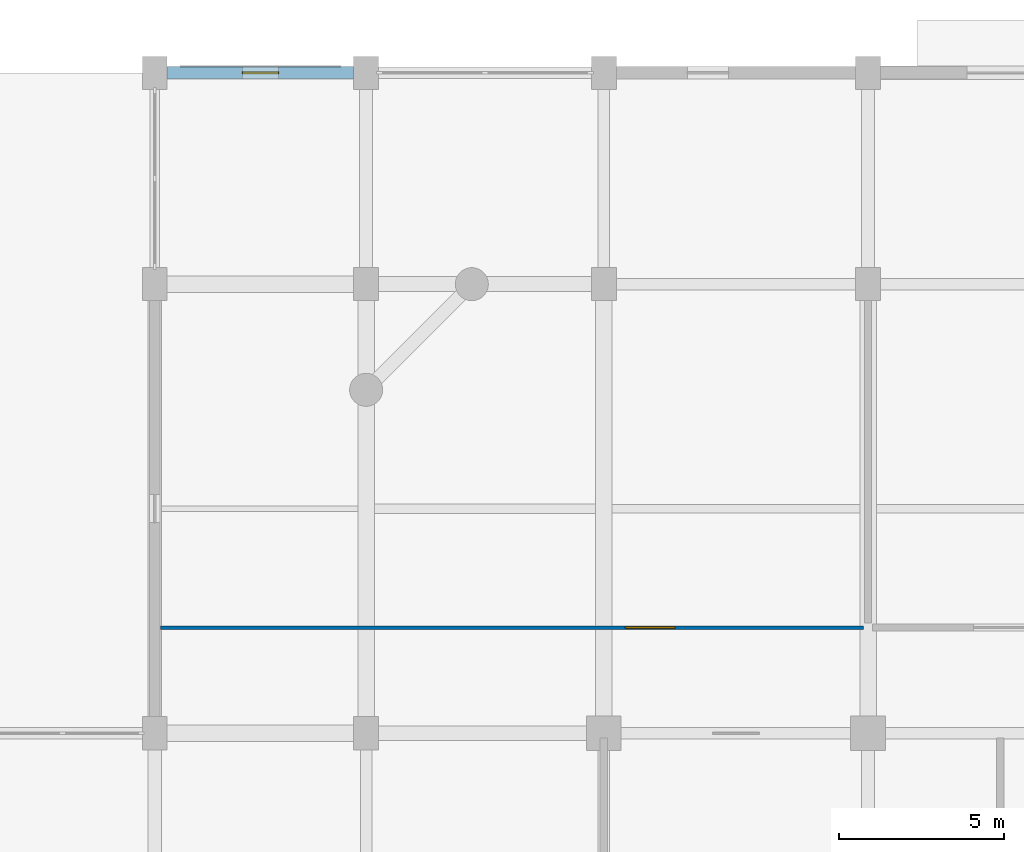
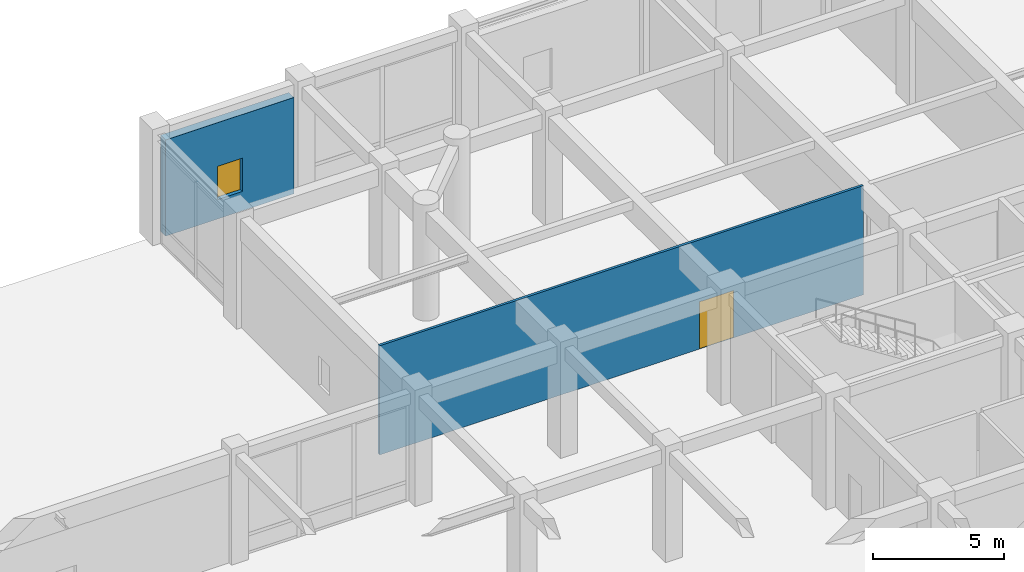
# One storey, part 31 of 40: 2 walls, 1 door, 1 window, 2 openings.
"""IFC4 building model written with IfcOpenShell, lengths in metres."""

from ifc_helpers import new_model, si_unit, direction, frame, frame_2d, origin, place, context, subcontext, project, spatial, rectangle, extrude, material, layer, layer_set, type_object, element, fill, save


model = new_model("IFC4")

# Units and contexts
model_context = context("Model", 3, precision=1e-05, world=origin(), true_north=direction((0.0, 1.0)))
body_context = subcontext(model_context, "Body", "Model", "MODEL_VIEW")
ifc_project = project(units=[si_unit("LENGTHUNIT", "METRE"), si_unit("AREAUNIT", "SQUARE_METRE"), si_unit("VOLUMEUNIT", "CUBIC_METRE"), si_unit("PLANEANGLEUNIT", "RADIAN"), si_unit("MASSUNIT", "GRAM", prefix="KILO")], contexts=[model_context])

# Site, building, storey
site_placement = place(None, origin())
site = spatial("IfcSite", under=ifc_project, at=site_placement, CompositionType="ELEMENT")
building_placement = place(site_placement, origin())
building = spatial("IfcBuilding", under=site, at=building_placement, Name="Vellmiral Cinema and Media Centre", CompositionType="ELEMENT")
storey_placement = place(building_placement, origin())
storey = spatial("IfcBuildingStorey", under=building, at=storey_placement, Name="L00", CompositionType="ELEMENT", Elevation=0.0)

# Wall, opening, window
ifc_material_1 = material(Name="Vosges Red Sandstone Masonry", Category="masonry")
ifc_layer_1 = layer(ifc_material_1, 0.3798828125, Name="Vosges Red Sandstone Masonry")
ifc_layer_set_1 = layer_set([ifc_layer_1], Name="Vosges Red Sandstone Masonry")
wall_type_1 = type_object("IfcWallType", Name="WL-EXT-SAND-380", PredefinedType="SOLIDWALL", material=ifc_layer_set_1)
wall_1_placement = place(storey_placement, frame((116.425048828125, 115.199951171875, 0.0), z_axis=(0.0, 0.0, 1.0), x_axis=(-1.0, 0.0, 0.0)))
wall_1 = element("IfcWall", 1, at=wall_1_placement, inside=storey, type_object=wall_type_1, Name="Exterior Facade Wall L00-052", PredefinedType="SOLIDWALL", context=body_context, shape_type="SweptSolid", body=[
    extrude(rectangle(XDim=5.650146484375, YDim=0.3798828125, at=frame_2d((2.8251953125, 0.0))), origin(), (0.0, 0.0, 1.0), 4.47998046875),
])
opening_1_placement = place(wall_1_placement, frame((2.27490234375, 0.0, 0.89990234375)))
opening_1 = element("IfcOpeningElement", 2, at=opening_1_placement, cuts=wall_1, Name="Opening WN-11", PredefinedType="OPENING", context=body_context, shape_type="SweptSolid", body=[
    extrude(rectangle(XDim=1.10009765625, YDim=1.550048828125, at=frame_2d((0.550048828125, 0.77490234375))), frame((0.0, 0.201904296875, 0.0), z_axis=(0.0, -1.0, 0.0), x_axis=(1.0, 0.0, 0.0)), (0.0, 0.0, 1.0), 0.40380859375),
])
ifc_material_2 = material(Name="Thermally Broken Aluminium Triple Glazing", Category="aluminium")
window_type = type_object("IfcWindowType", Name="WN-1100x1550", PartitioningType="SINGLE_PANEL", PredefinedType="WINDOW", material=ifc_material_2)
window_placement = place(opening_1_placement, origin())
window = element("IfcWindow", 3, at=window_placement, inside=storey, type_object=window_type, Name="Window L00-052", OverallHeight=1.550048828125, OverallWidth=1.10009765625, PartitioningType="SINGLE_PANEL", PredefinedType="WINDOW", context=body_context, shape_type="SweptSolid", body=[
    extrude(rectangle(XDim=1.10009765625, YDim=1.550048828125, at=frame_2d((0.550048828125, 0.77490234375))), frame((0.0, 0.030029296875, 0.0), z_axis=(0.0, -1.0, 0.0), x_axis=(1.0, 0.0, 0.0)), (0.0, 0.0, 1.0), 0.06005859375),
])
fill(opening_1, window)

# Wall, opening, door
ifc_material_3 = material(Name="Gypsum Plasterboard")
ifc_layer_2 = layer(ifc_material_3, 0.02490234375, Name="Gypsum Plasterboard", Category="gypsum")
ifc_material_4 = material(Name="Mineral Wool Acoustic Insulation", Category="insulation")
ifc_layer_3 = layer(ifc_material_4, 0.06005859375, Name="Mineral Wool Acoustic Insulation", Category="insulation")
ifc_layer_4 = layer(ifc_material_3, 0.02490234375, Name="Gypsum Plasterboard", Category="gypsum")
ifc_layer_set_2 = layer_set([ifc_layer_2, ifc_layer_3, ifc_layer_4], Name="Gypsum Plasterboard")
wall_type_2 = type_object("IfcWallType", Name="WL-PART-110", PredefinedType="PARTITIONING", material=ifc_layer_set_2)
wall_2_placement = place(storey_placement, frame((110.574951171875, 98.39990234375, 0.0), z_axis=(0.0, 0.0, 1.0), x_axis=(1.0, 0.0, 0.0)))
wall_2 = element("IfcWall", 4, at=wall_2_placement, inside=storey, type_object=wall_type_2, Name="Tower North Media Gallery Wall S", PredefinedType="PARTITIONING", context=body_context, shape_type="SweptSolid", body=[
    extrude(rectangle(XDim=21.28515625, YDim=0.110107421875, at=frame_2d((10.642578125, 0.0))), origin(), (0.0, 0.0, 1.0), 5.080078125),
])
opening_2_placement = place(wall_2_placement, frame((14.074951171875, 0.0, 0.0)))
opening_2 = element("IfcOpeningElement", 5, at=opening_2_placement, cuts=wall_2, Name="Opening D-I03", PredefinedType="OPENING", context=body_context, shape_type="SweptSolid", body=[
    extrude(rectangle(XDim=1.5, YDim=2.199951171875, at=frame_2d((0.75, 1.10009765625))), frame((0.0, 0.06689453125, 0.0), z_axis=(0.0, -1.0, 0.0), x_axis=(1.0, 0.0, 0.0)), (0.0, 0.0, 1.0), 0.134033203125),
])
ifc_material_5 = material(Name="Laminated Timber Door", Category="wood")
door_type = type_object("IfcDoorType", Name="DR-INT-1500x2200", OperationType="DOUBLE_DOOR_SINGLE_SWING", PredefinedType="DOOR", material=ifc_material_5)
door_placement = place(opening_2_placement, frame((1.5, 0.0, 0.0), z_axis=(0.0, 0.0, 1.0), x_axis=(-1.0, 0.0, 0.0)))
door = element("IfcDoor", 6, at=door_placement, inside=storey, type_object=door_type, Name="Tower North Media Gallery Door", OperationType="DOUBLE_DOOR_SINGLE_SWING", OverallHeight=2.199951171875, OverallWidth=1.5, PredefinedType="DOOR", context=body_context, shape_type="SweptSolid", body=[
    extrude(rectangle(XDim=1.5, YDim=2.199951171875, at=frame_2d((0.75, 1.10009765625))), frame((0.0, 0.02490234375, 0.0), z_axis=(0.0, -1.0, 0.0), x_axis=(1.0, 0.0, 0.0)), (0.0, 0.0, 1.0), 0.050048828125),
])
fill(opening_2, door)

save(model, "model.ifc")
